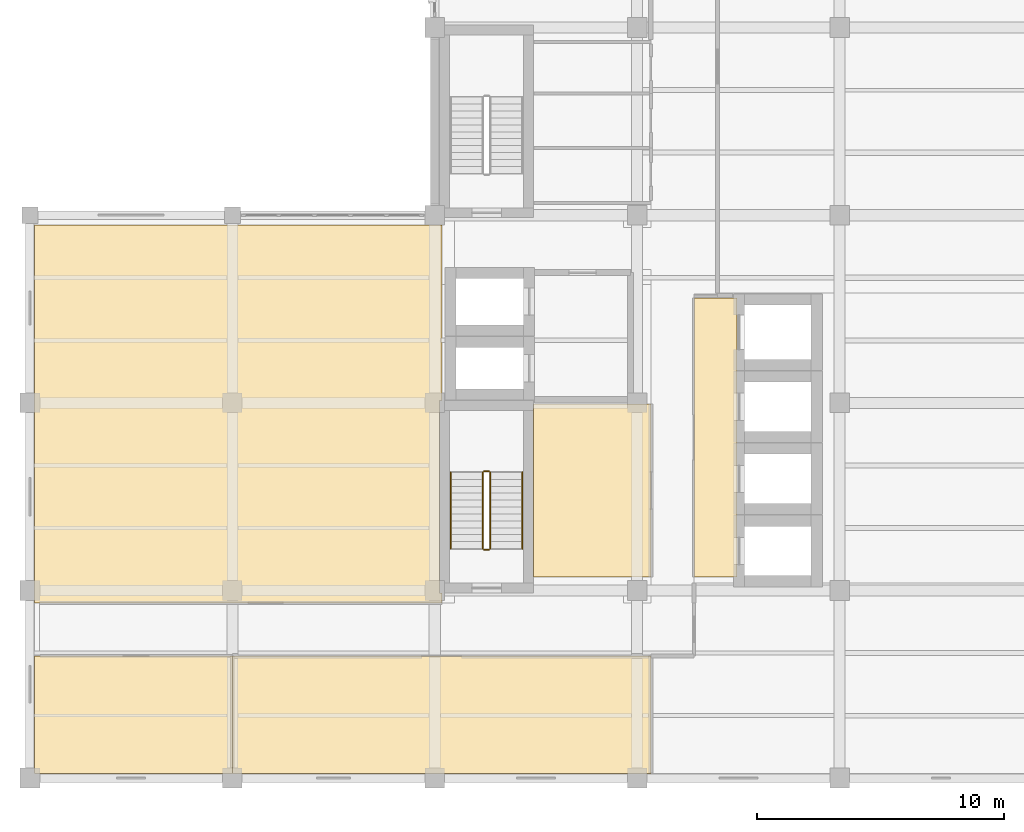
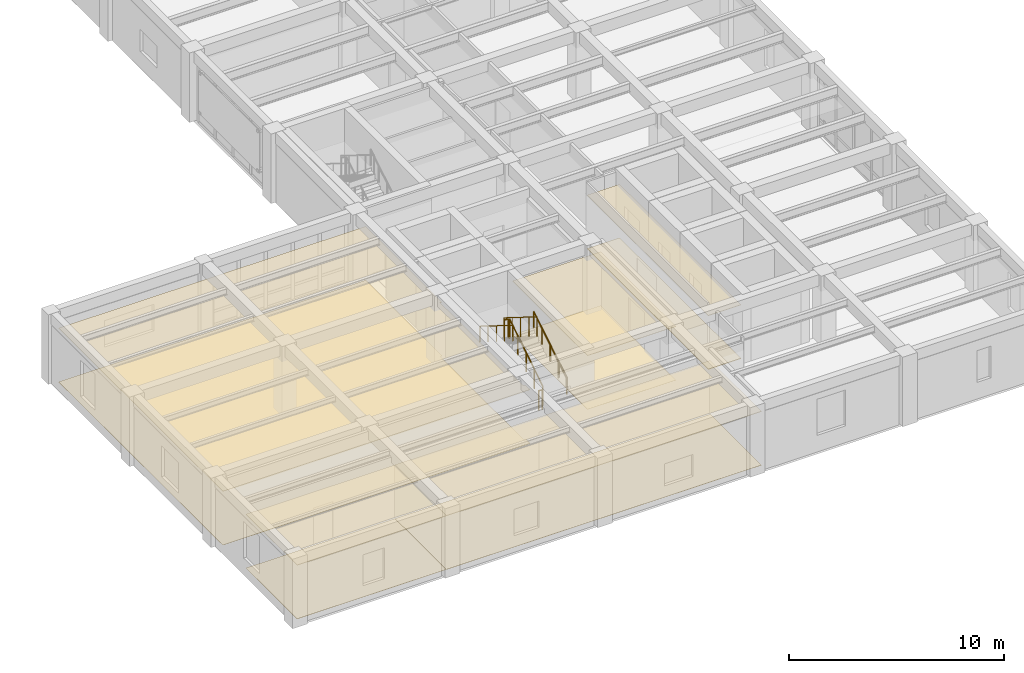
# One storey, part 10 of 13: 10 coverings, 6 railings.
"""IFC4 building model written with IfcOpenShell, lengths in metres."""

from ifc_helpers import new_model, si_unit, direction, frame, origin, origin_2d, place, context, subcontext, project, spatial, polyline, circle, outline, extrude, material, layer, layer_set, type_object, element, save


model = new_model("IFC4")

# Units and contexts
model_context = context("Model", 3, precision=1e-05, world=origin(), true_north=direction((0.0, 1.0)))
body_context = subcontext(model_context, "Body", "Model", "MODEL_VIEW")
ifc_project = project(units=[si_unit("LENGTHUNIT", "METRE"), si_unit("AREAUNIT", "SQUARE_METRE"), si_unit("VOLUMEUNIT", "CUBIC_METRE"), si_unit("PLANEANGLEUNIT", "RADIAN"), si_unit("MASSUNIT", "GRAM", prefix="KILO")], contexts=[model_context])

# Site, building, storey
site_placement = place(None, origin())
site = spatial("IfcSite", under=ifc_project, at=site_placement, CompositionType="ELEMENT")
building_placement = place(site_placement, origin())
building = spatial("IfcBuilding", under=site, at=building_placement, Name="Qandaris Square Conservatory and Botanical Centre", CompositionType="ELEMENT")
storey_placement = place(building_placement, frame((0.0, 0.0, 45.0)))
storey = spatial("IfcBuildingStorey", under=building, at=storey_placement, Name="L10", CompositionType="ELEMENT", Elevation=45.0)

# Coverings
ifc_material_1 = material(Name="Honed Qatari Limestone", Category="masonry")
ifc_layer_1 = layer(ifc_material_1, 0.030029296875)
ifc_layer_set_1 = layer_set([ifc_layer_1], Name="Honed Qatari Limestone")
covering_type_1 = type_object("IfcCoveringType", Name="Honed Qatari Limestone Concourse Paving", PredefinedType="FLOORING", material=ifc_layer_set_1)
covering_1_placement = place(storey_placement, origin())
element("IfcCovering", 1, at=covering_1_placement, inside=storey, type_object=covering_type_1, Name="Passenger Lift Lobby L10 Flooring", PredefinedType="FLOORING", context=body_context, shape_type="SweptSolid", body=[
    extrude(outline(polyline([(149.699951171875, 36.050048828125), (151.449951171875, 36.050048828125), (151.449951171875, 24.75), (149.699951171875, 24.75), (149.699951171875, 36.050048828125)])), origin(), (0.0, 0.0, 1.0), 0.030029296875),
])
ifc_material_2 = material(Name="Gypsum Plasterboard", Category="gypsum")
ifc_layer_2 = layer(ifc_material_2, 0.02490234375)
ifc_layer_set_2 = layer_set([ifc_layer_2], Name="Gypsum Plasterboard")
covering_type_2 = type_object("IfcCoveringType", Name="Perforated Acoustic Lab Ceiling Tile", PredefinedType="CEILING", material=ifc_layer_set_2)
covering_2_placement = place(storey_placement, frame((0.0, 0.0, 3.050048828125)))
element("IfcCovering", 2, at=covering_2_placement, inside=storey, type_object=covering_type_2, Name="Electrical and Telecom Riser Room L10 Ceiling", PredefinedType="CEILING", context=body_context, shape_type="SweptSolid", body=[
    extrude(outline(polyline([(147.949951171875, 31.75), (147.949951171875, 24.75), (143.199951171875, 24.75), (143.199951171875, 31.75), (147.949951171875, 31.75)])), origin(), (0.0, 0.0, 1.0), 0.02490234375),
])
covering_3_placement = place(storey_placement, frame((0.0, 0.0, 3.050048828125)))
element("IfcCovering", 3, at=covering_3_placement, inside=storey, type_object=covering_type_2, Name="Passenger Lift Lobby L10 Ceiling", PredefinedType="CEILING", context=body_context, shape_type="SweptSolid", body=[
    extrude(outline(polyline([(149.699951171875, 36.050048828125), (151.449951171875, 36.050048828125), (151.449951171875, 24.75), (149.699951171875, 24.75), (149.699951171875, 36.050048828125)])), origin(), (0.0, 0.0, 1.0), 0.02490234375),
])
covering_4_placement = place(storey_placement, frame((0.0, 0.0, 3.050048828125)))
element("IfcCovering", 4, at=covering_4_placement, inside=storey, type_object=covering_type_2, Name="Medicinal Flora Research Laboratory Ceiling", PredefinedType="CEILING", context=body_context, shape_type="SweptSolid", body=[
    extrude(outline(polyline([(123.199951171875, 21.550048828125), (131.0, 21.550048828125), (131.0, 16.780029296875), (122.97998046875, 16.780029296875), (122.97998046875, 21.550048828125), (123.199951171875, 21.550048828125)])), origin(), (0.0, 0.0, 1.0), 0.02490234375),
])
covering_5_placement = place(storey_placement, frame((0.0, 0.0, 3.050048828125)))
element("IfcCovering", 5, at=covering_5_placement, inside=storey, type_object=covering_type_2, Name="Carpology Dormancy Suite Ceiling", PredefinedType="CEILING", context=body_context, shape_type="SweptSolid", body=[
    extrude(outline(polyline([(147.949951171875, 21.550048828125), (147.949951171875, 16.780029296875), (131.0, 16.780029296875), (131.0, 21.550048828125), (147.949951171875, 21.550048828125)])), origin(), (0.0, 0.0, 1.0), 0.02490234375),
])
covering_6_placement = place(storey_placement, frame((0.0, 0.0, 3.050048828125)))
element("IfcCovering", 6, at=covering_6_placement, inside=storey, type_object=covering_type_2, Name="Quantitative Ecology Research Laboratory Ceiling", PredefinedType="CEILING", context=body_context, shape_type="SweptSolid", body=[
    extrude(outline(polyline([(139.5, 31.89990234375), (139.39990234375, 31.89990234375), (139.39990234375, 24.10009765625), (139.5, 24.10009765625), (139.5, 23.699951171875), (123.199951171875, 23.699951171875), (122.97998046875, 23.699951171875), (122.97998046875, 39.0), (139.5, 39.0), (139.5, 31.89990234375)])), origin(), (0.0, 0.0, 1.0), 0.02490234375),
])
ifc_material_3 = material(Name="Epoxy Resin Screed", Category="finish")
ifc_layer_3 = layer(ifc_material_3, 0.014892578125)
ifc_layer_set_3 = layer_set([ifc_layer_3], Name="Epoxy Resin Screed")
covering_type_3 = type_object("IfcCoveringType", Name="Seamless Epoxy Laboratory Flooring", PredefinedType="FLOORING", material=ifc_layer_set_3)
covering_7_placement = place(storey_placement, origin())
element("IfcCovering", 7, at=covering_7_placement, inside=storey, type_object=covering_type_3, Name="Electrical and Telecom Riser Room L10 Flooring", PredefinedType="FLOORING", context=body_context, shape_type="SweptSolid", body=[
    extrude(outline(polyline([(147.949951171875, 31.75), (147.949951171875, 24.75), (143.199951171875, 24.75), (143.199951171875, 31.75), (147.949951171875, 31.75)])), origin(), (0.0, 0.0, 1.0), 0.014892578125),
])
covering_8_placement = place(storey_placement, origin())
element("IfcCovering", 8, at=covering_8_placement, inside=storey, type_object=covering_type_3, Name="Medicinal Flora Research Laboratory Flooring", PredefinedType="FLOORING", context=body_context, shape_type="SweptSolid", body=[
    extrude(outline(polyline([(123.199951171875, 21.550048828125), (131.0, 21.550048828125), (131.0, 16.780029296875), (122.97998046875, 16.780029296875), (122.97998046875, 21.550048828125), (123.199951171875, 21.550048828125)])), origin(), (0.0, 0.0, 1.0), 0.014892578125),
])
covering_9_placement = place(storey_placement, origin())
element("IfcCovering", 9, at=covering_9_placement, inside=storey, type_object=covering_type_3, Name="Carpology Dormancy Suite Flooring", PredefinedType="FLOORING", context=body_context, shape_type="SweptSolid", body=[
    extrude(outline(polyline([(147.949951171875, 21.550048828125), (147.949951171875, 16.780029296875), (131.0, 16.780029296875), (131.0, 21.550048828125), (147.949951171875, 21.550048828125)])), origin(), (0.0, 0.0, 1.0), 0.014892578125),
])
covering_10_placement = place(storey_placement, origin())
element("IfcCovering", 10, at=covering_10_placement, inside=storey, type_object=covering_type_3, Name="Quantitative Ecology Research Laboratory Flooring", PredefinedType="FLOORING", context=body_context, shape_type="SweptSolid", body=[
    extrude(outline(polyline([(139.5, 31.89990234375), (139.39990234375, 31.89990234375), (139.39990234375, 24.10009765625), (139.5, 24.10009765625), (139.5, 23.699951171875), (123.199951171875, 23.699951171875), (122.97998046875, 23.699951171875), (122.97998046875, 39.0), (139.5, 39.0), (139.5, 31.89990234375)])), origin(), (0.0, 0.0, 1.0), 0.014892578125),
])

# Railings
ifc_material_4 = material(Name="Stainless Steel", Category="steel")
railing_type_1 = type_object("IfcRailingType", Name="Stair Tubular Handrail 920mm", PredefinedType="HANDRAIL", material=ifc_material_4)
railing_1_placement = place(storey_placement, frame((142.75, 25.89990234375, 0.35009765625)))
element("IfcRailing", 11, at=railing_1_placement, inside=storey, type_object=railing_type_1, Name="L10 ST-1 stair handrail 1", PredefinedType="HANDRAIL", context=body_context, shape_type="SweptSolid", body=[
    extrude(circle(Radius=0.02392578125, at=origin_2d()), frame((0.0, 0.0, 0.89599609375), z_axis=(0.0, 0.848028513186, 0.529950602248), x_axis=(-1.0, 0.0, 0.0)), (0.0, 0.0, 1.0), 3.632080078125),
    extrude(circle(Radius=0.02099609375, at=origin_2d()), origin(), (0.0, 0.0, 1.0), 0.871826171875),
    extrude(circle(Radius=0.02099609375, at=origin_2d()), frame((0.0, 0.77001953125, 0.481201171875)), (0.0, 0.0, 1.0), 0.871826171875),
    extrude(circle(Radius=0.02099609375, at=origin_2d()), frame((0.0, 1.5400390625, 0.96240234375)), (0.0, 0.0, 1.0), 0.871826171875),
    extrude(circle(Radius=0.02099609375, at=origin_2d()), frame((0.0, 2.31005859375, 1.443603515625)), (0.0, 0.0, 1.0), 0.871826171875),
    extrude(circle(Radius=0.02099609375, at=origin_2d()), frame((0.0, 3.080078125, 1.9248046875)), (0.0, 0.0, 1.0), 0.871826171875),
])
railing_2_placement = place(storey_placement, frame((139.85009765625, 28.97998046875, 2.449951171875)))
element("IfcRailing", 12, at=railing_2_placement, inside=storey, type_object=railing_type_1, Name="L10 ST-1 stair handrail 2", PredefinedType="HANDRAIL", context=body_context, shape_type="SweptSolid", body=[
    extrude(circle(Radius=0.02392578125, at=origin_2d()), frame((0.0, 0.0, 0.89599609375), z_axis=(0.0, -0.847998304005, 0.529998940003), x_axis=(1.0, 0.0, 0.0)), (0.0, 0.0, 1.0), 3.632080078125),
    extrude(circle(Radius=0.02099609375, at=origin_2d()), origin(), (0.0, 0.0, 1.0), 0.871826171875),
    extrude(circle(Radius=0.02099609375, at=origin_2d()), frame((0.0, -0.77001953125, 0.481201171875)), (0.0, 0.0, 1.0), 0.871826171875),
    extrude(circle(Radius=0.02099609375, at=origin_2d()), frame((0.0, -1.5400390625, 0.96240234375)), (0.0, 0.0, 1.0), 0.871826171875),
    extrude(circle(Radius=0.02099609375, at=origin_2d()), frame((0.0, -2.31005859375, 1.44384765625)), (0.0, 0.0, 1.0), 0.871826171875),
    extrude(circle(Radius=0.02099609375, at=origin_2d()), frame((0.0, -3.080078125, 1.925048828125)), (0.0, 0.0, 1.0), 0.871826171875),
])
railing_type_2 = type_object("IfcRailingType", Name="Stairwell & Atrium Guardrail 1120mm", PredefinedType="GUARDRAIL", material=ifc_material_4)
railing_3_placement = place(storey_placement, frame((141.449951171875, 25.89990234375, 0.175048828125)))
element("IfcRailing", 13, at=railing_3_placement, inside=storey, type_object=railing_type_2, Name="L10 ST-1 stair guard 1", PredefinedType="GUARDRAIL", context=body_context, shape_type="SweptSolid", body=[
    extrude(circle(Radius=0.02392578125, at=origin_2d()), frame((0.0, 0.0, 1.09619140625), z_axis=(0.0, 0.847998304005, 0.529998940003), x_axis=(-1.0, 0.0, 0.0)), (0.0, 0.0, 1.0), 3.632080078125),
    extrude(circle(Radius=0.02099609375, at=origin_2d()), origin(), (0.0, 0.0, 1.0), 1.072021484375),
    extrude(circle(Radius=0.02099609375, at=origin_2d()), frame((0.0, 0.77001953125, 0.481201171875)), (0.0, 0.0, 1.0), 1.072021484375),
    extrude(circle(Radius=0.02099609375, at=origin_2d()), frame((0.0, 1.5400390625, 0.96240234375)), (0.0, 0.0, 1.0), 1.072021484375),
    extrude(circle(Radius=0.02099609375, at=origin_2d()), frame((0.0, 2.31005859375, 1.44384765625)), (0.0, 0.0, 1.0), 1.072021484375),
    extrude(circle(Radius=0.02099609375, at=origin_2d()), frame((0.0, 3.080078125, 1.925048828125)), (0.0, 0.0, 1.0), 1.072021484375),
])
railing_4_placement = place(storey_placement, frame((141.39990234375, 29.030029296875, 2.10009765625)))
element("IfcRailing", 14, at=railing_4_placement, inside=storey, type_object=railing_type_2, Name="L10 ST-1 stair guard 2", PredefinedType="GUARDRAIL", context=body_context, shape_type="SweptSolid", body=[
    extrude(circle(Radius=0.02392578125, at=origin_2d()), frame((0.0, 0.0, 1.09619140625), z_axis=(-1.0, 0.0, 0.0), x_axis=(0.0, -1.0, 0.0)), (0.0, 0.0, 1.0), 0.199951171875),
    extrude(circle(Radius=0.02099609375, at=origin_2d()), origin(), (0.0, 0.0, 1.0), 1.072021484375),
    extrude(circle(Radius=0.02099609375, at=origin_2d()), frame((-0.199951171875, 0.0, 0.0)), (0.0, 0.0, 1.0), 1.072021484375),
])
railing_5_placement = place(storey_placement, frame((141.14990234375, 28.97998046875, 2.27490234375)))
element("IfcRailing", 15, at=railing_5_placement, inside=storey, type_object=railing_type_2, Name="L10 ST-1 stair guard 3", PredefinedType="GUARDRAIL", context=body_context, shape_type="SweptSolid", body=[
    extrude(circle(Radius=0.02392578125, at=origin_2d()), frame((0.0, 0.0, 1.09619140625), z_axis=(0.0, -0.847998304005, 0.529998940003), x_axis=(1.0, 0.0, 0.0)), (0.0, 0.0, 1.0), 3.632080078125),
    extrude(circle(Radius=0.02099609375, at=origin_2d()), origin(), (0.0, 0.0, 1.0), 1.072021484375),
    extrude(circle(Radius=0.02099609375, at=origin_2d()), frame((0.0, -0.77001953125, 0.481201171875)), (0.0, 0.0, 1.0), 1.072021484375),
    extrude(circle(Radius=0.02099609375, at=origin_2d()), frame((0.0, -1.5400390625, 0.96240234375)), (0.0, 0.0, 1.0), 1.072021484375),
    extrude(circle(Radius=0.02099609375, at=origin_2d()), frame((0.0, -2.31005859375, 1.44384765625)), (0.0, 0.0, 1.0), 1.072021484375),
    extrude(circle(Radius=0.02099609375, at=origin_2d()), frame((0.0, -3.080078125, 1.925048828125)), (0.0, 0.0, 1.0), 1.072021484375),
])
railing_6_placement = place(storey_placement, frame((141.39990234375, 25.85009765625, 0.0)))
element("IfcRailing", 16, at=railing_6_placement, inside=storey, type_object=railing_type_2, Name="L10 ST-1 stair guard 4", PredefinedType="GUARDRAIL", context=body_context, shape_type="SweptSolid", body=[
    extrude(circle(Radius=0.02392578125, at=origin_2d()), frame((0.0, 0.0, 1.09619140625), z_axis=(-1.0, 0.0, 0.0), x_axis=(0.0, -1.0, 0.0)), (0.0, 0.0, 1.0), 0.199951171875),
    extrude(circle(Radius=0.02099609375, at=origin_2d()), origin(), (0.0, 0.0, 1.0), 1.072021484375),
    extrude(circle(Radius=0.02099609375, at=origin_2d()), frame((-0.199951171875, 0.0, 0.0)), (0.0, 0.0, 1.0), 1.072021484375),
])

save(model, "model.ifc")
